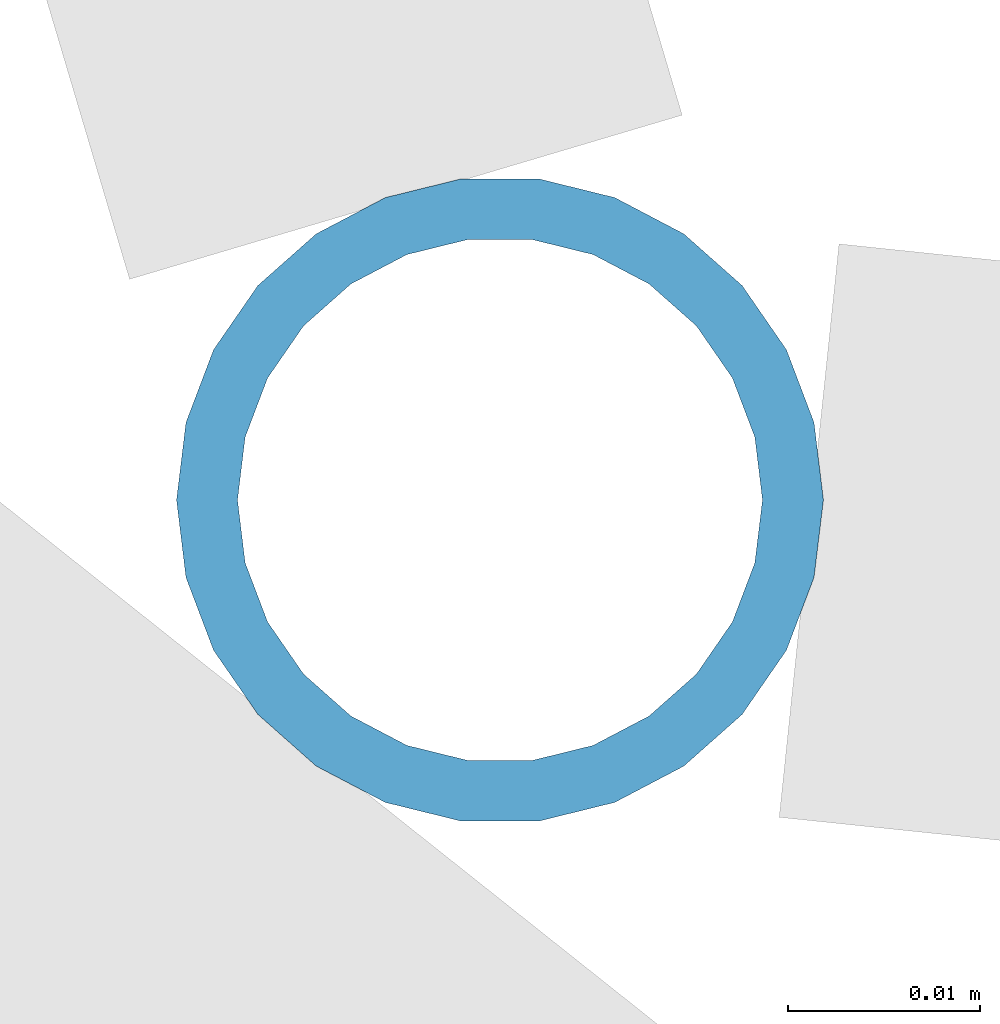
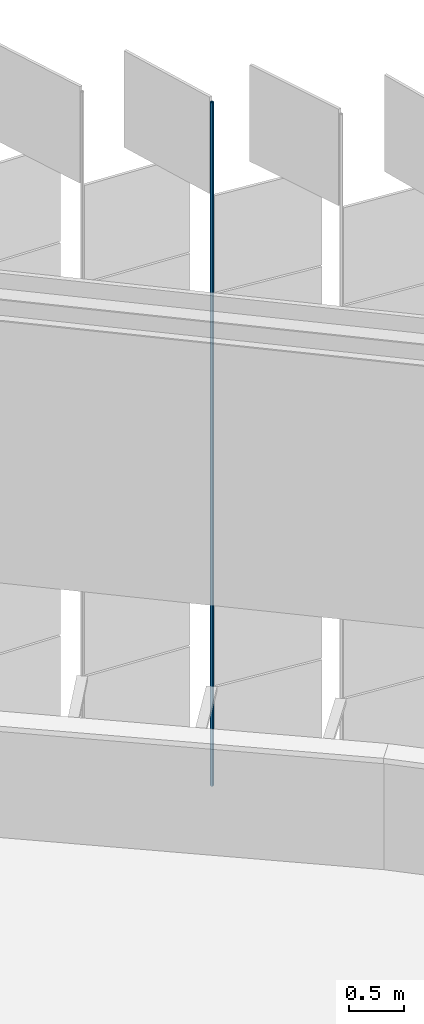
# One storey, part 317 of 483: 1 discrete accessory.
"""IFC4 building model written with IfcOpenShell, lengths in metres."""

from ifc_helpers import new_model, si_unit, direction, frame, origin, origin_2d, place, context, subcontext, project, spatial, hollow_circle, extrude, material, material_profile, profile_set, type_object, element, save


model = new_model("IFC4")

# Units and contexts
model_context = context("Model", 3, precision=1e-05, world=origin(), true_north=direction((0.0, 1.0)))
body_context = subcontext(model_context, "Body", "Model", "MODEL_VIEW")
ifc_project = project(units=[si_unit("LENGTHUNIT", "METRE"), si_unit("AREAUNIT", "SQUARE_METRE"), si_unit("VOLUMEUNIT", "CUBIC_METRE"), si_unit("PLANEANGLEUNIT", "RADIAN"), si_unit("MASSUNIT", "GRAM", prefix="KILO")], contexts=[model_context])

# Site, building, storey
site_placement = place(None, origin())
site = spatial("IfcSite", under=ifc_project, at=site_placement, CompositionType="ELEMENT")
building_placement = place(site_placement, origin())
building = spatial("IfcBuilding", under=site, at=building_placement, Name="Parallax Yard Mobility Hub", CompositionType="ELEMENT")
storey_placement = place(building_placement, frame((0.0, 0.0, 13.199951171875)))
storey = spatial("IfcBuildingStorey", under=building, at=storey_placement, Name="L04", CompositionType="ELEMENT", Elevation=13.199951171875)

# Discrete accessory
ifc_material = material(Name="Steel ASTM A500 Gr C, hot-dip galvanised", Category="steel")
ifc_material_profile = material_profile(ifc_material, hollow_circle(Radius=0.016845703125, WallThickness=0.003173828125, at=origin_2d()), Name="CHS 33.7x3.2")
ifc_profile_set = profile_set([ifc_material_profile], Name="Steel ASTM A500 Gr C, hot-dip galvanised")
discrete_accessory_type = type_object("IfcDiscreteAccessoryType", Name="Hinge post CHS 33.7x3.2", PredefinedType="BRACKET", material=ifc_profile_set)
discrete_accessory_placement = place(storey_placement, frame((205.742919921875, 131.686767578125, 0.0), z_axis=(0.0, 0.0, 1.0), x_axis=(1.0, 0.0, 0.0)))
element("IfcDiscreteAccessory", 1, at=discrete_accessory_placement, inside=storey, type_object=discrete_accessory_type, Name="Hinge post bay 46.6 level L04", PredefinedType="BRACKET", context=body_context, shape_type="SweptSolid", body=[
    extrude(hollow_circle(Radius=0.016845703125, WallThickness=0.003173828125, at=origin_2d()), origin(), (0.0, 0.0, 1.0), 7.650146484375),
])

save(model, "model.ifc")
